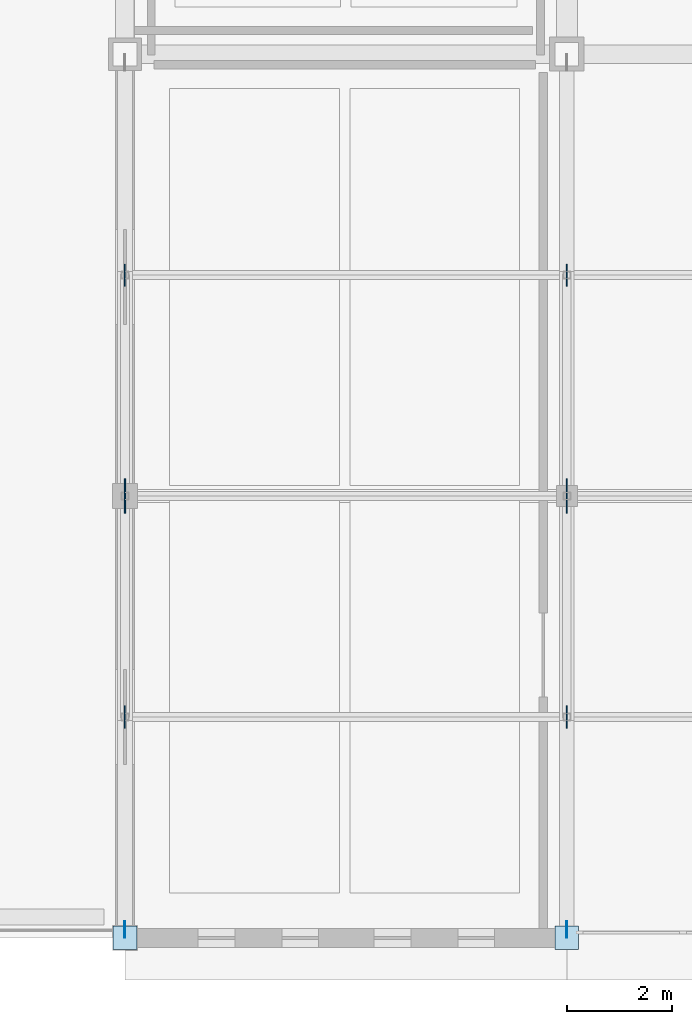
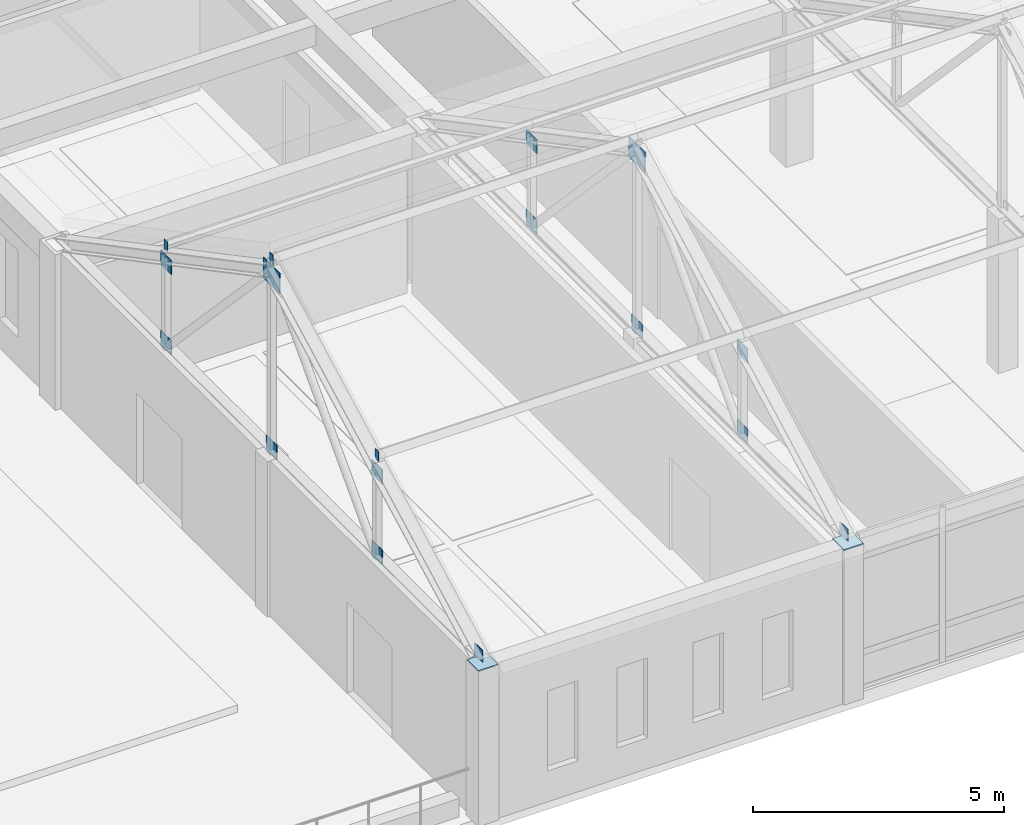
# One storey, part 26 of 47: 19 plates.
"""IFC4 building model written with IfcOpenShell, lengths in metres."""

from ifc_helpers import new_model, si_unit, direction, frame, origin, origin_2d, place, context, subcontext, project, spatial, rectangle, extrude, material, layer, layer_set, type_object, element, save


model = new_model("IFC4")

# Units and contexts
model_context = context("Model", 3, precision=1e-05, world=origin(), true_north=direction((0.0, 1.0)))
body_context = subcontext(model_context, "Body", "Model", "MODEL_VIEW")
ifc_project = project(units=[si_unit("LENGTHUNIT", "METRE"), si_unit("AREAUNIT", "SQUARE_METRE"), si_unit("VOLUMEUNIT", "CUBIC_METRE"), si_unit("PLANEANGLEUNIT", "RADIAN"), si_unit("MASSUNIT", "GRAM", prefix="KILO")], contexts=[model_context])

# Site, building, storey
site_placement = place(None, origin())
site = spatial("IfcSite", under=ifc_project, at=site_placement, CompositionType="ELEMENT")
building_placement = place(site_placement, origin())
building = spatial("IfcBuilding", under=site, at=building_placement, Name="Kveldsbrygga Polytechnic", CompositionType="ELEMENT")
storey_placement = place(building_placement, frame((0.0, 0.0, 13.93994140625)))
storey = spatial("IfcBuildingStorey", under=building, at=storey_placement, Name="L03", CompositionType="ELEMENT", Elevation=13.93994140625)

# Plates
ifc_material = material(Name="Steel S355", Category="steel")
ifc_layer_1 = layer(ifc_material, 0.030029296875)
ifc_layer_set_1 = layer_set([ifc_layer_1], Name="Steel S355")
plate_type_1 = type_object("IfcPlateType", Name="CAP-BEAR-450", PredefinedType="SHEET", material=ifc_layer_set_1)
for number, where, z_axis, x_axis, name in (
    (1, (126.0, 0.0, 3.75), (0.0, 0.0, 1.0), (1.0, 0.0, 0.0), "Truss Bearing Plate V4S4-T01-A"),
    (2, (134.39990234375, 0.0, 3.75), (0.0, 0.0, 1.0), (1.0, 0.0, 0.0), "Truss Bearing Plate V4S4-T02-A"),
):
    element("IfcPlate", number, at=place(storey_placement, frame(where, z_axis=z_axis, x_axis=x_axis)), inside=storey, type_object=plate_type_1, Name=name, PredefinedType="SHEET", context=body_context, shape_type="SweptSolid", body=[
        extrude(rectangle(XDim=0.449951171875, YDim=0.449951171875, at=origin_2d()), origin(), (0.0, 0.0, 1.0), 0.030029296875),
    ])
ifc_layer_2 = layer(ifc_material, 0.011962890625)
ifc_layer_set_2 = layer_set([ifc_layer_2], Name="Steel S355")
plate_type_2 = type_object("IfcPlateType", Name="CAP-PRL-200", PredefinedType="SHEET", material=ifc_layer_set_2)
for number, where, z_axis, x_axis, name in (
    (3, (125.993896484375, 4.199951171875, 6.1455078125), (0.0, 0.0, 1.0), (1.0, 0.0, 0.0), "Purlin End Cap Plate V4S4-EP-A-1"),
    (4, (125.993896484375, 8.39990234375, 8.3701171875), (0.0, 0.0, 1.0), (1.0, 0.0, 0.0), "Purlin End Cap Plate V4S4-EP-A-2"),
    (5, (125.993896484375, 12.60009765625, 6.1455078125), (0.0, 0.0, 1.0), (1.0, 0.0, 0.0), "Purlin End Cap Plate V4S4-EP-A-3"),
):
    element("IfcPlate", number, at=place(storey_placement, frame(where, z_axis=z_axis, x_axis=x_axis)), inside=storey, type_object=plate_type_2, Name=name, PredefinedType="SHEET", context=body_context, shape_type="SweptSolid", body=[
        extrude(rectangle(XDim=0.011962890625, YDim=0.139892578125, at=origin_2d()), origin(), (0.0, 0.0, 1.0), 0.239990234375),
    ])
ifc_layer_3 = layer(ifc_material, 0.02490234375)
ifc_layer_set_3 = layer_set([ifc_layer_3], Name="Steel S355")
plate_type_3 = type_object("IfcPlateType", Name="GUS-APEX-650", PredefinedType="SHEET", material=ifc_layer_set_3)
for number, where, z_axis, x_axis, name in (
    (6, (126.0, 8.39990234375, 7.830078125), (0.0, 0.0, 1.0), (1.0, 0.0, 0.0), "Truss Gusset Plate V4S4-T01-GP-2"),
    (7, (134.39990234375, 8.39990234375, 7.830078125), (0.0, 0.0, 1.0), (1.0, 0.0, 0.0), "Truss Gusset Plate V4S4-T02-GP-2"),
):
    element("IfcPlate", number, at=place(storey_placement, frame(where, z_axis=z_axis, x_axis=x_axis)), inside=storey, type_object=plate_type_3, Name=name, PredefinedType="SHEET", context=body_context, shape_type="SweptSolid", body=[
        extrude(rectangle(XDim=0.02490234375, YDim=0.64990234375, at=origin_2d()), origin(), (0.0, 0.0, 1.0), 0.5),
    ])
ifc_layer_4 = layer(ifc_material, 0.01806640625)
ifc_layer_set_4 = layer_set([ifc_layer_4], Name="Steel S355")
plate_type_4 = type_object("IfcPlateType", Name="GUS-BRACE-320", PredefinedType="SHEET", material=ifc_layer_set_4)
for number, where, z_axis, x_axis, name in (
    (8, (126.0, 0.159912109375, 3.740234375), (0.0, 0.0, 1.0), (1.0, 0.0, 0.0), "Truss Eaves Node Gusset V4S4-T01-EGP-A"),
    (9, (134.39990234375, 0.159912109375, 3.740234375), (0.0, 0.0, 1.0), (1.0, 0.0, 0.0), "Truss Eaves Node Gusset V4S4-T02-EGP-A"),
):
    element("IfcPlate", number, at=place(storey_placement, frame(where, z_axis=z_axis, x_axis=x_axis)), inside=storey, type_object=plate_type_4, Name=name, PredefinedType="SHEET", context=body_context, shape_type="SweptSolid", body=[
        extrude(rectangle(XDim=0.01806640625, YDim=0.320068359375, at=origin_2d()), origin(), (0.0, 0.0, 1.0), 0.320068359375),
    ])
ifc_layer_5 = layer(ifc_material, 0.02001953125)
ifc_layer_set_5 = layer_set([ifc_layer_5], Name="Steel S355")
plate_type_5 = type_object("IfcPlateType", Name="GUS-LECT-420", PredefinedType="SHEET", material=ifc_layer_set_5)
for number, where, z_axis, x_axis, name in (
    (10, (126.0, 4.199951171875, 5.679931640625), (0.0, 0.0, 1.0), (1.0, 0.0, 0.0), "Truss Gusset Plate V4S4-T01-GP-1"),
    (11, (126.0, 4.199951171875, 3.72509765625), (0.0, 0.0, 1.0), (1.0, 0.0, 0.0), "Truss Bottom-Chord Node Gusset V4S4-T01-BGP-1"),
    (12, (126.0, 8.39990234375, 3.72509765625), (0.0, 0.0, 1.0), (1.0, 0.0, 0.0), "Truss Bottom-Chord Node Gusset V4S4-T01-BGP-2"),
    (13, (126.0, 12.60009765625, 5.679931640625), (0.0, 0.0, 1.0), (1.0, 0.0, 0.0), "Truss Gusset Plate V4S4-T01-GP-3"),
    (14, (126.0, 12.60009765625, 3.72509765625), (0.0, 0.0, 1.0), (1.0, 0.0, 0.0), "Truss Bottom-Chord Node Gusset V4S4-T01-BGP-3"),
    (15, (134.39990234375, 4.199951171875, 5.679931640625), (0.0, 0.0, 1.0), (1.0, 0.0, 0.0), "Truss Gusset Plate V4S4-T02-GP-1"),
    (16, (134.39990234375, 4.199951171875, 3.72509765625), (0.0, 0.0, 1.0), (1.0, 0.0, 0.0), "Truss Bottom-Chord Node Gusset V4S4-T02-BGP-1"),
    (17, (134.39990234375, 8.39990234375, 3.72509765625), (0.0, 0.0, 1.0), (1.0, 0.0, 0.0), "Truss Bottom-Chord Node Gusset V4S4-T02-BGP-2"),
    (18, (134.39990234375, 12.60009765625, 5.679931640625), (0.0, 0.0, 1.0), (1.0, 0.0, 0.0), "Truss Gusset Plate V4S4-T02-GP-3"),
    (19, (134.39990234375, 12.60009765625, 3.72509765625), (0.0, 0.0, 1.0), (1.0, 0.0, 0.0), "Truss Bottom-Chord Node Gusset V4S4-T02-BGP-3"),
):
    element("IfcPlate", number, at=place(storey_placement, frame(where, z_axis=z_axis, x_axis=x_axis)), inside=storey, type_object=plate_type_5, Name=name, PredefinedType="SHEET", context=body_context, shape_type="SweptSolid", body=[
        extrude(rectangle(XDim=0.02001953125, YDim=0.419921875, at=origin_2d()), origin(), (0.0, 0.0, 1.0), 0.35009765625),
    ])

save(model, "model.ifc")
